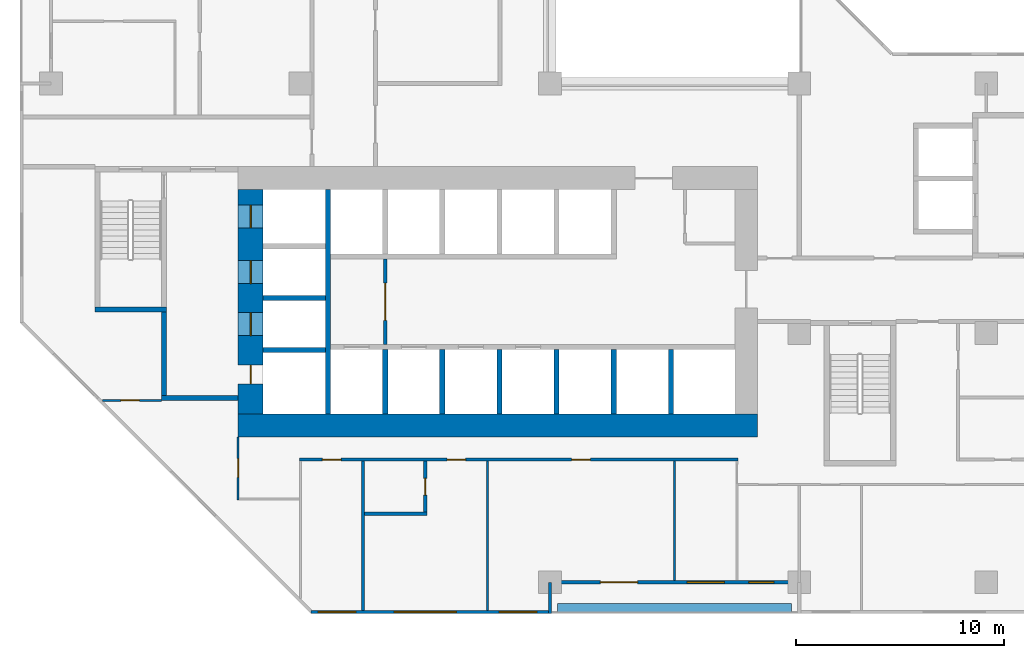
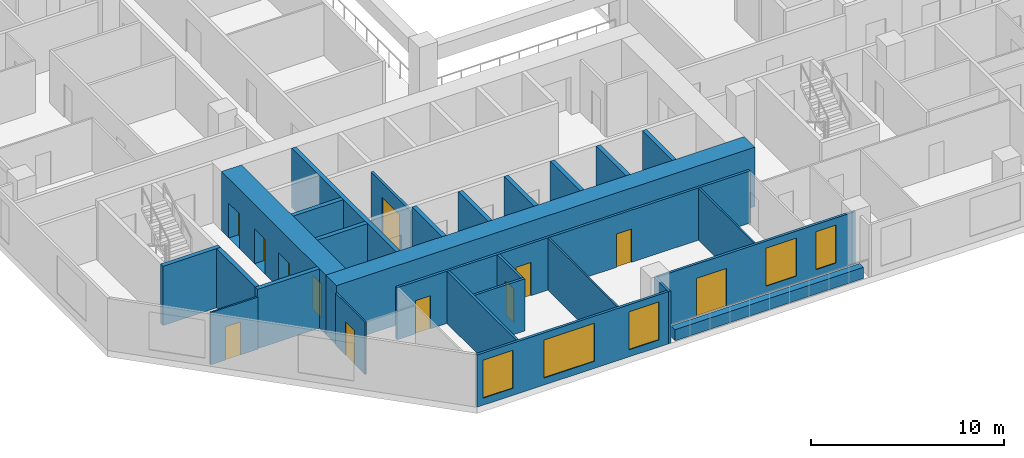
# One storey, part 4 of 16: 27 walls, 12 doors, 5 windows, 17 openings.
"""IFC4 building model written with IfcOpenShell, lengths in metres."""

import ifcopenshell
import ifcopenshell.guid

model = None  # the IFC model being written
_history = None  # IfcOwnerHistory: only IFC2X3 demands one
_inside = {}  # id of a spatial element -> (the spatial element, [elements in it])
_under = {}  # id of a project, library or spatial element -> (it, [spatial elements below it])
_declared = {}  # id of a project -> (the project, [libraries it declares])
_typed = {}  # id of a type object -> (the type object, [elements of that type])
_made_of = {}  # id of a material, layer set ... -> (it, [elements and type objects made of it])


def new_model(schema):
    """Start an empty IFC model of exactly this schema.

    Asked for "IFC4X3", IfcOpenShell would pick the latest addendum, in which some entities
    have other attributes; the version numbers below select the first issue.
    IFC2X3 requires an IfcOwnerHistory on every rooted entity: one is made here for all.
    """
    global model, _history
    if schema == "IFC4X3":
        model = ifcopenshell.file(schema_version=(4, 3, 0, 0))
    else:
        model = ifcopenshell.file(schema=schema)
    _inside.clear()
    _under.clear()
    _declared.clear()
    _typed.clear()
    _made_of.clear()
    _history = None
    if model.schema == "IFC2X3":
        org = make("IfcOrganization", Name="unknown")
        user = make(
            "IfcPersonAndOrganization",
            ThePerson=make("IfcPerson", FamilyName="unknown"),
            TheOrganization=org,
        )
        app = make(
            "IfcApplication",
            ApplicationDeveloper=org,
            Version="unknown",
            ApplicationFullName="unknown",
            ApplicationIdentifier="unknown",
        )
        _history = make(
            "IfcOwnerHistory",
            OwningUser=user,
            OwningApplication=app,
            ChangeAction="ADDED",
            CreationDate=0,
        )
    return model


def make(cls, **values):
    """One entity of the class cls with the attributes given. An attribute that is None is left unset."""
    return model.create_entity(
        cls, **{name: value for name, value in values.items() if value is not None}
    )


def rooted(cls, **values):
    """An entity with a GlobalId (a new one), such as an element, a storey or a relation."""
    return make(cls, GlobalId=ifcopenshell.guid.new(), OwnerHistory=_history, **values)


def si_unit(unit_type, name, prefix=None):
    """IfcSIUnit, for example si_unit("LENGTHUNIT", "METRE", prefix="MILLI")."""
    return make("IfcSIUnit", UnitType=unit_type, Prefix=prefix, Name=name)


def assignment(units):
    """IfcUnitAssignment: the units of a project."""
    return None if units is None else make("IfcUnitAssignment", Units=units)


def point(xyz):
    """IfcCartesianPoint."""
    return None if xyz is None else make("IfcCartesianPoint", Coordinates=xyz)


def direction(xyz):
    """IfcDirection."""
    return None if xyz is None else make("IfcDirection", DirectionRatios=xyz)


def frame(location, z_axis=None, x_axis=None):
    """IfcAxis2Placement3D, a coordinate frame: its origin and axes. An axis left out is left unset."""
    return make(
        "IfcAxis2Placement3D",
        Location=point(location),
        Axis=direction(z_axis),
        RefDirection=direction(x_axis),
    )


def frame_2d(location, x_axis=None):
    """IfcAxis2Placement2D, a coordinate frame in the plane: its origin and x axis."""
    return make(
        "IfcAxis2Placement2D", Location=point(location), RefDirection=direction(x_axis)
    )


def origin():
    """The frame at (0, 0, 0) with its axes left unset."""
    return frame((0.0, 0.0, 0.0))


def place(relative_to, where):
    """IfcLocalPlacement: puts the frame where relative to a parent placement (None: the world)."""
    return make(
        "IfcLocalPlacement", PlacementRelTo=relative_to, RelativePlacement=where
    )


def context(
    kind, dimensions, precision=None, world=None, true_north=None, identifier=None
):
    """IfcGeometricRepresentationContext, for example the 3D "Model" context."""
    return make(
        "IfcGeometricRepresentationContext",
        ContextIdentifier=identifier,
        ContextType=kind,
        CoordinateSpaceDimension=dimensions,
        Precision=precision,
        WorldCoordinateSystem=world,
        TrueNorth=true_north,
    )


def subcontext(parent, identifier, kind, view, scale=None):
    """IfcGeometricRepresentationSubContext, for example "Body" below "Model"."""
    return make(
        "IfcGeometricRepresentationSubContext",
        ContextIdentifier=identifier,
        ContextType=kind,
        ParentContext=parent,
        TargetScale=scale,
        TargetView=view,
    )


def project(units=None, contexts=None):
    """IfcProject with its units and contexts."""
    return rooted(
        "IfcProject",
        Name="project",
        RepresentationContexts=contexts,
        UnitsInContext=assignment(units),
    )


def spatial(cls, under=None, at=None, **own):
    """A site, building, storey or space (cls), placed at a placement, below another one or the project."""
    s = rooted(cls, ObjectPlacement=at, **own)
    if under is not None:
        _under.setdefault(under.id(), (under, []))[1].append(s)
    return s


def profile(cls, at=None, kind="AREA", **sizes):
    """A parametric profile (cls). Its sizes go by their IFC names, for example OverallWidth=200.0."""
    return make(cls, ProfileType=kind, Position=at, **sizes)


def rectangle(**sizes):
    """IfcRectangleProfileDef."""
    return profile("IfcRectangleProfileDef", **sizes)


def extrude(swept, where, along, depth):
    """IfcExtrudedAreaSolid: the profile swept, set in the frame where, extruded along a direction by depth."""
    return make(
        "IfcExtrudedAreaSolid",
        SweptArea=swept,
        Position=where,
        ExtrudedDirection=direction(along),
        Depth=depth,
    )


def shape(context_of_items, identifier, shape_type, items):
    """IfcShapeRepresentation: the items that make up one representation, for example the "Body"."""
    return make(
        "IfcShapeRepresentation",
        ContextOfItems=context_of_items,
        RepresentationIdentifier=identifier,
        RepresentationType=shape_type,
        Items=items,
    )


def material(Name=None, Category=None):
    """IfcMaterial."""
    return make("IfcMaterial", Name=Name, Category=Category)


def layer(
    of_material, thickness, ventilated=None, Name=None, Category=None, Priority=None
):
    """IfcMaterialLayer: one layer of a wall or slab, of a material (None: an air gap)."""
    return make(
        "IfcMaterialLayer",
        Material=of_material,
        LayerThickness=thickness,
        IsVentilated=ventilated,
        Name=Name,
        Category=Category,
        Priority=Priority,
    )


def layer_set(layers, Name=None):
    """IfcMaterialLayerSet."""
    return make("IfcMaterialLayerSet", MaterialLayers=layers, LayerSetName=Name)


def made_of(thing, what):
    """Note that an element or type object is made of a material, layer set ...; save() writes the relation."""
    if what is not None:
        _made_of.setdefault(what.id(), (what, []))[1].append(thing)
    return thing


def type_object(cls, material=None, **own):
    """A type object (cls), such as IfcWallType, which elements share."""
    return made_of(rooted(cls, **own), material)


def element(
    cls,
    number,
    at=None,
    inside=None,
    cuts=None,
    type_object=None,
    material=None,
    context=None,
    identifier="Body",
    shape_type=None,
    held_by="IfcProductDefinitionShape",
    body=None,
    shapes=None,
    **own,
):
    """One element of the class cls, such as IfcWall. Its Tag is "e" and its number.

    at: its placement. inside: the storey or other place that contains it. cuts: it is an
    opening in that element (IfcRelVoidsElement). A single representation is given by context,
    identifier, shape_type and body (its items); several are given by shapes. held_by: the class
    of the entity that holds the representations. save() writes the other relations.
    """
    e = rooted(cls, Tag="e%d" % number, ObjectPlacement=at, **own)
    if body is not None:
        shapes = [shape(context, identifier, shape_type, body)]
    if shapes is not None:
        e.Representation = make(held_by, Representations=shapes)
    if inside is not None:
        _inside.setdefault(inside.id(), (inside, []))[1].append(e)
    if cuts is not None:
        rooted(
            "IfcRelVoidsElement", RelatingBuildingElement=cuts, RelatedOpeningElement=e
        )
    if type_object is not None:
        _typed.setdefault(type_object.id(), (type_object, []))[1].append(e)
    return made_of(e, material)


def fill(opening, filler):
    """IfcRelFillsElement: the door or window that sits in an opening."""
    return rooted(
        "IfcRelFillsElement",
        RelatingOpeningElement=opening,
        RelatedBuildingElement=filler,
    )


def aggregate(whole, parts):
    """IfcRelAggregates: a whole, such as a stair, and the parts it consists of."""
    return rooted("IfcRelAggregates", RelatingObject=whole, RelatedObjects=parts)


def save(model, path):
    """Write the relations noted so far, then the file.

    IfcRelAggregates (storeys below a building ...), IfcRelContainedInSpatialStructure (elements
    in a storey), IfcRelDefinesByType, IfcRelAssociatesMaterial and IfcRelDeclares: one each for
    every whole, place, type object, material and project.
    """
    for whole, parts in _under.values():
        aggregate(whole, parts)
    for where, things in _inside.values():
        rooted(
            "IfcRelContainedInSpatialStructure",
            RelatedElements=things,
            RelatingStructure=where,
        )
    for kind, things in _typed.values():
        rooted("IfcRelDefinesByType", RelatedObjects=things, RelatingType=kind)
    for what, things in _made_of.values():
        rooted("IfcRelAssociatesMaterial", RelatedObjects=things, RelatingMaterial=what)
    for by, libraries in _declared.values():
        rooted("IfcRelDeclares", RelatingContext=by, RelatedDefinitions=libraries)
    model.write(path)


model = new_model("IFC4")

# Units and contexts
model_context = context("Model", 3, precision=1e-05, world=origin(), true_north=direction((0.0, 1.0)))
body_context = subcontext(model_context, "Body", "Model", "MODEL_VIEW")
ifc_project = project(units=[si_unit("LENGTHUNIT", "METRE"), si_unit("AREAUNIT", "SQUARE_METRE"), si_unit("VOLUMEUNIT", "CUBIC_METRE"), si_unit("PLANEANGLEUNIT", "RADIAN"), si_unit("MASSUNIT", "GRAM", prefix="KILO")], contexts=[model_context])

# Site, building, storey
site_placement = place(None, origin())
site = spatial("IfcSite", under=ifc_project, at=site_placement, CompositionType="ELEMENT")
building_placement = place(site_placement, origin())
building = spatial("IfcBuilding", under=site, at=building_placement, Name="Chenar Terraces", CompositionType="ELEMENT")
storey_placement = place(building_placement, frame((0.0, 0.0, 82.64990234375)))
storey = spatial("IfcBuildingStorey", under=building, at=storey_placement, Name="L18", CompositionType="ELEMENT", Elevation=82.64990234375)

# Wall, opening, door
ifc_material_1 = material(Name="Gypsum board on steel studs", Category="steel")
ifc_layer_1 = layer(ifc_material_1, 0.14990234375)
ifc_layer_set_1 = layer_set([ifc_layer_1], Name="Gypsum board on steel studs")
wall_type_1 = type_object("IfcWallType", Name="Core partition 150 gypsum board", PredefinedType="PARTITIONING", material=ifc_layer_set_1)
wall_1_placement = place(storey_placement, frame((16.074951171875, 11.449951171875, 0.0), z_axis=(0.0, 0.0, 1.0), x_axis=(0.0, 1.0, 0.0)))
wall_1 = element("IfcWall", 1, at=wall_1_placement, inside=storey, type_object=wall_type_1, Name="Core partition CP1 lift lobby smoke stop", PredefinedType="PARTITIONING", context=body_context, shape_type="SweptSolid", body=[
    extrude(rectangle(XDim=4.10009765625, YDim=0.14990234375, at=frame_2d((2.050048828125, 0.0))), origin(), (0.0, 0.0, 1.0), 3.300048828125),
])
opening_1_placement = place(wall_1_placement, frame((1.14990234375, 0.0, 0.0)))
opening_1 = element("IfcOpeningElement", 2, at=opening_1_placement, cuts=wall_1, Name="Opening DL18-C12", PredefinedType="OPENING", context=body_context, shape_type="SweptSolid", body=[
    extrude(rectangle(XDim=1.800048828125, YDim=2.39990234375, at=frame_2d((0.89990234375, 1.199951171875))), frame((0.0, 0.0849609375, 0.0), z_axis=(0.0, -1.0, 0.0), x_axis=(1.0, 0.0, 0.0)), (0.0, 0.0, 1.0), 0.169921875),
])
ifc_material_2 = material(Name="Steel-framed fire-resisting door leaf", Category="steel")
door_type_1 = type_object("IfcDoorType", Name="Core entrance double fire door FD60 1800 x 2400", OperationType="DOUBLE_DOOR_SINGLE_SWING", PredefinedType="DOOR", material=ifc_material_2)
door_1_placement = place(opening_1_placement, origin())
door_1 = element("IfcDoor", 3, at=door_1_placement, inside=storey, type_object=door_type_1, Name="Core door DL18-C12", OperationType="DOUBLE_DOOR_SINGLE_SWING", OverallHeight=2.39990234375, OverallWidth=1.800048828125, PredefinedType="DOOR", context=body_context, shape_type="SweptSolid", body=[
    extrude(rectangle(XDim=1.800048828125, YDim=2.39990234375, at=frame_2d((0.89990234375, 1.199951171875))), frame((0.0, 0.02490234375, 0.0), z_axis=(0.0, -1.0, 0.0), x_axis=(1.0, 0.0, 0.0)), (0.0, 0.0, 1.0), 0.050048828125),
])
fill(opening_1, door_1)

# Wall
ifc_material_3 = material(Name="Concrete C70/85", Category="concrete")
ifc_layer_2 = layer(ifc_material_3, 1.10009765625)
ifc_layer_set_2 = layer_set([ifc_layer_2], Name="Concrete C70/85")
wall_type_2 = type_object("IfcWallType", Name="Core wall 1100 Concrete C70/85", PredefinedType="SHEAR", material=ifc_layer_set_2)
wall_2_placement = place(storey_placement, frame((9.0, 7.550048828125, 0.0), z_axis=(0.0, 0.0, 1.0), x_axis=(1.0, 0.0, 0.0)))
element("IfcWall", 4, at=wall_2_placement, inside=storey, type_object=wall_type_2, Name="Core wall S L18", PredefinedType="SHEAR", context=body_context, shape_type="SweptSolid", body=[
    extrude(rectangle(XDim=25.0, YDim=1.10009765625, at=frame_2d((12.5, 0.0))), origin(), (0.0, 0.0, 1.0), 3.75),
])

# Wall, openings, doors
ifc_material_4 = material(Name="Concrete C70/85", Category="concrete")
ifc_layer_3 = layer(ifc_material_4, 1.199951171875)
ifc_layer_set_3 = layer_set([ifc_layer_3], Name="Concrete C70/85")
wall_type_3 = type_object("IfcWallType", Name="Core wall 1200 Concrete C70/85", PredefinedType="SHEAR", material=ifc_layer_set_3)
wall_3_placement = place(storey_placement, frame((9.60009765625, 8.10009765625, 0.0), z_axis=(0.0, 0.0, 1.0), x_axis=(0.0, 1.0, 0.0)))
wall_3 = element("IfcWall", 5, at=wall_3_placement, inside=storey, type_object=wall_type_3, Name="Core wall W L18", PredefinedType="SHEAR", context=body_context, shape_type="SweptSolid", body=[
    extrude(rectangle(XDim=10.7998046875, YDim=1.199951171875, at=frame_2d((5.39990234375, 0.0))), origin(), (0.0, 0.0, 1.0), 3.75),
])
opening_2_placement = place(wall_3_placement, frame((3.77490234375, 0.0, 0.0)))
opening_2 = element("IfcOpeningElement", 6, at=opening_2_placement, cuts=wall_3, Name="Opening DL18-LD5", PredefinedType="OPENING", context=body_context, shape_type="SweptSolid", body=[
    extrude(rectangle(XDim=1.10009765625, YDim=2.199951171875, at=frame_2d((0.550048828125, 1.10009765625))), frame((0.0, 0.60986328125, 0.0), z_axis=(0.0, -1.0, 0.0), x_axis=(1.0, 0.0, 0.0)), (0.0, 0.0, 1.0), 1.219970703125),
])
opening_3_placement = place(wall_3_placement, frame((6.27490234375, 0.0, 0.0)))
opening_3 = element("IfcOpeningElement", 7, at=opening_3_placement, cuts=wall_3, Name="Opening DL18-LD6", PredefinedType="OPENING", context=body_context, shape_type="SweptSolid", body=[
    extrude(rectangle(XDim=1.10009765625, YDim=2.199951171875, at=frame_2d((0.550048828125, 1.10009765625))), frame((0.0, 0.60986328125, 0.0), z_axis=(0.0, -1.0, 0.0), x_axis=(1.0, 0.0, 0.0)), (0.0, 0.0, 1.0), 1.219970703125),
])
opening_4_placement = place(wall_3_placement, frame((8.949951171875, 0.0, 0.0)))
opening_4 = element("IfcOpeningElement", 8, at=opening_4_placement, cuts=wall_3, Name="Opening DL18-LD7", PredefinedType="OPENING", context=body_context, shape_type="SweptSolid", body=[
    extrude(rectangle(XDim=1.10009765625, YDim=2.199951171875, at=frame_2d((0.550048828125, 1.10009765625))), frame((0.0, 0.60986328125, 0.0), z_axis=(0.0, -1.0, 0.0), x_axis=(1.0, 0.0, 0.0)), (0.0, 0.0, 1.0), 1.219970703125),
])
opening_5_placement = place(wall_3_placement, frame((1.449951171875, 0.0, 0.0)))
opening_5 = element("IfcOpeningElement", 9, at=opening_5_placement, cuts=wall_3, Name="Opening DL18-C4", PredefinedType="OPENING", context=body_context, shape_type="SweptSolid", body=[
    extrude(rectangle(XDim=0.89990234375, YDim=2.10009765625, at=frame_2d((0.449951171875, 1.050048828125))), frame((0.0, 0.60986328125, 0.0), z_axis=(0.0, -1.0, 0.0), x_axis=(1.0, 0.0, 0.0)), (0.0, 0.0, 1.0), 1.219970703125),
])
ifc_material_5 = material(Name="Stainless steel", Category="steel")
door_type_2 = type_object("IfcDoorType", Name="Lift landing door 1100 x 2200 sliding", OperationType="DOUBLE_DOOR_SLIDING", PredefinedType="DOOR", material=ifc_material_5)
door_2_placement = place(opening_2_placement, origin())
door_2 = element("IfcDoor", 10, at=door_2_placement, inside=storey, type_object=door_type_2, Name="Landing door S1", OperationType="DOUBLE_DOOR_SLIDING", OverallHeight=2.199951171875, OverallWidth=1.10009765625, PredefinedType="DOOR", context=body_context, shape_type="SweptSolid", body=[
    extrude(rectangle(XDim=1.10009765625, YDim=2.199951171875, at=frame_2d((0.550048828125, 1.10009765625))), frame((0.0, 0.02490234375, 0.0), z_axis=(0.0, -1.0, 0.0), x_axis=(1.0, 0.0, 0.0)), (0.0, 0.0, 1.0), 0.050048828125),
])
fill(opening_2, door_2)
door_3_placement = place(opening_3_placement, origin())
door_3 = element("IfcDoor", 11, at=door_3_placement, inside=storey, type_object=door_type_2, Name="Landing door F1", OperationType="DOUBLE_DOOR_SLIDING", OverallHeight=2.199951171875, OverallWidth=1.10009765625, PredefinedType="DOOR", context=body_context, shape_type="SweptSolid", body=[
    extrude(rectangle(XDim=1.10009765625, YDim=2.199951171875, at=frame_2d((0.550048828125, 1.10009765625))), frame((0.0, 0.02490234375, 0.0), z_axis=(0.0, -1.0, 0.0), x_axis=(1.0, 0.0, 0.0)), (0.0, 0.0, 1.0), 0.050048828125),
])
fill(opening_3, door_3)
door_4_placement = place(opening_4_placement, origin())
door_4 = element("IfcDoor", 12, at=door_4_placement, inside=storey, type_object=door_type_2, Name="Landing door F2", OperationType="DOUBLE_DOOR_SLIDING", OverallHeight=2.199951171875, OverallWidth=1.10009765625, PredefinedType="DOOR", context=body_context, shape_type="SweptSolid", body=[
    extrude(rectangle(XDim=1.10009765625, YDim=2.199951171875, at=frame_2d((0.550048828125, 1.10009765625))), frame((0.0, 0.02490234375, 0.0), z_axis=(0.0, -1.0, 0.0), x_axis=(1.0, 0.0, 0.0)), (0.0, 0.0, 1.0), 0.050048828125),
])
fill(opening_4, door_4)
ifc_material_6 = material(Name="Steel-framed fire-resisting door leaf", Category="steel")
door_type_3 = type_object("IfcDoorType", Name="Riser fire door FD60 900 x 2100", OperationType="SINGLE_SWING_LEFT", PredefinedType="DOOR", material=ifc_material_6)
door_5_placement = place(opening_5_placement, frame((0.89990234375, 0.0, 0.0), z_axis=(0.0, 0.0, 1.0), x_axis=(-1.0, 0.0, 0.0)))
door_5 = element("IfcDoor", 13, at=door_5_placement, inside=storey, type_object=door_type_3, Name="Riser door DL18-C4", OperationType="SINGLE_SWING_RIGHT", OverallHeight=2.10009765625, OverallWidth=0.89990234375, PredefinedType="DOOR", context=body_context, shape_type="SweptSolid", body=[
    extrude(rectangle(XDim=0.89990234375, YDim=2.10009765625, at=frame_2d((0.449951171875, 1.050048828125))), frame((0.0, 0.02490234375, 0.0), z_axis=(0.0, -1.0, 0.0), x_axis=(1.0, 0.0, 0.0)), (0.0, 0.0, 1.0), 0.050048828125),
])
fill(opening_5, door_5)

# Walls
ifc_material_7 = material(Name="Concrete C70/85", Category="concrete")
ifc_layer_4 = layer(ifc_material_7, 0.25)
ifc_layer_set_4 = layer_set([ifc_layer_4], Name="Concrete C70/85")
wall_type_4 = type_object("IfcWallType", Name="Core wall 250 Concrete C70/85", PredefinedType="SHEAR", material=ifc_layer_set_4)
wall_4_placement = place(storey_placement, frame((13.324951171875, 8.10009765625, 0.0), z_axis=(0.0, 0.0, 1.0), x_axis=(0.0, 1.0, 0.0)))
element("IfcWall", 14, at=wall_4_placement, inside=storey, type_object=wall_type_4, Name="Core wall WI L18", PredefinedType="SHEAR", context=body_context, shape_type="SweptSolid", body=[
    extrude(rectangle(XDim=10.7998046875, YDim=0.25, at=frame_2d((5.39990234375, 0.0))), origin(), (0.0, 0.0, 1.0), 3.75),
])
for number, where, z_axis, x_axis, name in (
    (15, (10.199951171875, 11.175048828125, 0.0), (0.0, 0.0, 1.0), (1.0, 0.0, 0.0), "Core wall HW0 L18"),
    (16, (10.199951171875, 13.675048828125, 0.0), (0.0, 0.0, 1.0), (1.0, 0.0, 0.0), "Core wall HW1 L18"),
):
    element("IfcWall", number, at=place(storey_placement, frame(where, z_axis=z_axis, x_axis=x_axis)), inside=storey, type_object=wall_type_4, Name=name, PredefinedType="SHEAR", context=body_context, shape_type="SweptSolid", body=[
        extrude(rectangle(XDim=3.0, YDim=0.25, at=frame_2d((1.5, 0.0))), origin(), (0.0, 0.0, 1.0), 3.75),
    ])
for number, where, z_axis, x_axis, name in (
    (17, (16.074951171875, 8.10009765625, 0.0), (0.0, 0.0, 1.0), (0.0, 1.0, 0.0), "Core wall SS0 L18"),
    (18, (18.824951171875, 8.10009765625, 0.0), (0.0, 0.0, 1.0), (0.0, 1.0, 0.0), "Core wall SS1 L18"),
    (19, (21.574951171875, 8.10009765625, 0.0), (0.0, 0.0, 1.0), (0.0, 1.0, 0.0), "Core wall SS2 L18"),
    (20, (24.324951171875, 8.10009765625, 0.0), (0.0, 0.0, 1.0), (0.0, 1.0, 0.0), "Core wall SS3 L18"),
    (21, (27.074951171875, 8.10009765625, 0.0), (0.0, 0.0, 1.0), (0.0, 1.0, 0.0), "Core wall SS4 L18"),
    (22, (29.824951171875, 8.10009765625, 0.0), (0.0, 0.0, 1.0), (0.0, 1.0, 0.0), "Core wall SS5 L18"),
):
    element("IfcWall", number, at=place(storey_placement, frame(where, z_axis=z_axis, x_axis=x_axis)), inside=storey, type_object=wall_type_4, Name=name, PredefinedType="SHEAR", context=body_context, shape_type="SweptSolid", body=[
        extrude(rectangle(XDim=3.099853515625, YDim=0.25, at=frame_2d((1.5498046875, 0.0))), origin(), (0.0, 0.0, 1.0), 3.75),
    ])
wall_5_placement = place(storey_placement, frame((2.10009765625, 13.125, 0.0), z_axis=(0.0, 0.0, 1.0), x_axis=(1.0, 0.0, 0.0)))
element("IfcWall", 23, at=wall_5_placement, inside=storey, type_object=wall_type_4, Name="Core wall ST1_S L18", PredefinedType="SHEAR", context=body_context, shape_type="SweptSolid", body=[
    extrude(rectangle(XDim=3.449951171875, YDim=0.25, at=frame_2d((1.72509765625, 0.0))), origin(), (0.0, 0.0, 1.0), 3.75),
])
wall_6_placement = place(storey_placement, frame((5.300048828125, 8.875, 0.0), z_axis=(0.0, 0.0, 1.0), x_axis=(1.0, 0.0, 0.0)))
element("IfcWall", 24, at=wall_6_placement, inside=storey, type_object=wall_type_4, Name="Core wall FFL_S L18", PredefinedType="SHEAR", context=body_context, shape_type="SweptSolid", body=[
    extrude(rectangle(XDim=3.699951171875, YDim=0.25, at=frame_2d((1.85009765625, 0.0))), origin(), (0.0, 0.0, 1.0), 3.75),
])
wall_7_placement = place(storey_placement, frame((5.425048828125, 9.0, 0.0), z_axis=(0.0, 0.0, 1.0), x_axis=(0.0, 1.0, 0.0)))
element("IfcWall", 25, at=wall_7_placement, inside=storey, type_object=wall_type_4, Name="Core wall FFL_W L18", PredefinedType="SHEAR", context=body_context, shape_type="SweptSolid", body=[
    extrude(rectangle(XDim=4.0, YDim=0.25, at=frame_2d((2.0, 0.0))), origin(), (0.0, 0.0, 1.0), 3.75),
])

# Wall, openings, windows
ifc_material_8 = material(Name="Aluminium framed glazing", Category="aluminium")
ifc_layer_5 = layer(ifc_material_8, 0.14990234375)
ifc_layer_set_5 = layer_set([ifc_layer_5], Name="Aluminium framed glazing")
wall_type_5 = type_object("IfcWallType", Name="Glazed flush facade wall 150", PredefinedType="SOLIDWALL", material=ifc_layer_set_5)
wall_8_placement = place(storey_placement, frame((12.5, -1.425048828125, 0.0), z_axis=(0.0, 0.0, 1.0), x_axis=(1.0, 0.0, 0.0)))
wall_8 = element("IfcWall", 26, at=wall_8_placement, inside=storey, type_object=wall_type_5, Name="Glazed flush facade wall", PredefinedType="SOLIDWALL", context=body_context, shape_type="SweptSolid", body=[
    extrude(rectangle(XDim=11.425048828125, YDim=0.14990234375, at=frame_2d((5.71240234375, 0.0))), origin(), (0.0, 0.0, 1.0), 3.300048828125),
])
opening_6_placement = place(wall_8_placement, frame((0.35009765625, 0.0, 0.449951171875)))
opening_6 = element("IfcOpeningElement", 27, at=opening_6_placement, cuts=wall_8, Name="Opening W180x240", PredefinedType="OPENING", context=body_context, shape_type="SweptSolid", body=[
    extrude(rectangle(XDim=1.800048828125, YDim=2.39990234375, at=frame_2d((0.89990234375, 1.199951171875))), frame((0.0, 0.0849609375, 0.0), z_axis=(0.0, -1.0, 0.0), x_axis=(1.0, 0.0, 0.0)), (0.0, 0.0, 1.0), 0.169921875),
])
opening_7_placement = place(wall_8_placement, frame((4.0, 0.0, 0.449951171875)))
opening_7 = element("IfcOpeningElement", 28, at=opening_7_placement, cuts=wall_8, Name="Opening W300x240", PredefinedType="OPENING", context=body_context, shape_type="SweptSolid", body=[
    extrude(rectangle(XDim=3.0, YDim=2.39990234375, at=frame_2d((1.5, 1.199951171875))), frame((0.0, 0.0849609375, 0.0), z_axis=(0.0, -1.0, 0.0), x_axis=(1.0, 0.0, 0.0)), (0.0, 0.0, 1.0), 0.169921875),
])
opening_8_placement = place(wall_8_placement, frame((9.0625, 0.0, 0.449951171875)))
opening_8 = element("IfcOpeningElement", 29, at=opening_8_placement, cuts=wall_8, Name="Opening W180x240", PredefinedType="OPENING", context=body_context, shape_type="SweptSolid", body=[
    extrude(rectangle(XDim=1.800048828125, YDim=2.39990234375, at=frame_2d((0.89990234375, 1.199951171875))), frame((0.0, 0.0849609375, 0.0), z_axis=(0.0, -1.0, 0.0), x_axis=(1.0, 0.0, 0.0)), (0.0, 0.0, 1.0), 0.169921875),
])
ifc_material_9 = material(Name="Low emissivity double glazing, aluminium frame", Category="aluminium")
window_type_1 = type_object("IfcWindowType", Name="Fixed light 1800 x 2400", PartitioningType="SINGLE_PANEL", PredefinedType="WINDOW", material=ifc_material_9)
window_1_placement = place(opening_6_placement, origin())
window_1 = element("IfcWindow", 30, at=window_1_placement, inside=storey, type_object=window_type_1, Name="Window", OverallHeight=2.39990234375, OverallWidth=1.800048828125, PartitioningType="SINGLE_PANEL", PredefinedType="WINDOW", context=body_context, shape_type="SweptSolid", body=[
    extrude(rectangle(XDim=1.800048828125, YDim=2.39990234375, at=frame_2d((0.89990234375, 1.199951171875))), frame((0.0, 0.030029296875, 0.0), z_axis=(0.0, -1.0, 0.0), x_axis=(1.0, 0.0, 0.0)), (0.0, 0.0, 1.0), 0.06005859375),
])
fill(opening_6, window_1)
window_2_placement = place(opening_8_placement, origin())
window_2 = element("IfcWindow", 31, at=window_2_placement, inside=storey, type_object=window_type_1, Name="Window", OverallHeight=2.39990234375, OverallWidth=1.800048828125, PartitioningType="SINGLE_PANEL", PredefinedType="WINDOW", context=body_context, shape_type="SweptSolid", body=[
    extrude(rectangle(XDim=1.800048828125, YDim=2.39990234375, at=frame_2d((0.89990234375, 1.199951171875))), frame((0.0, 0.030029296875, 0.0), z_axis=(0.0, -1.0, 0.0), x_axis=(1.0, 0.0, 0.0)), (0.0, 0.0, 1.0), 0.06005859375),
])
fill(opening_8, window_2)
ifc_material_10 = material(Name="Low emissivity double glazing, aluminium frame", Category="aluminium")
window_type_2 = type_object("IfcWindowType", Name="Fixed light 3000 x 2400", PartitioningType="SINGLE_PANEL", PredefinedType="WINDOW", material=ifc_material_10)
window_3_placement = place(opening_7_placement, origin())
window_3 = element("IfcWindow", 32, at=window_3_placement, inside=storey, type_object=window_type_2, Name="Window", OverallHeight=2.39990234375, OverallWidth=3.0, PartitioningType="SINGLE_PANEL", PredefinedType="WINDOW", context=body_context, shape_type="SweptSolid", body=[
    extrude(rectangle(XDim=3.0, YDim=2.39990234375, at=frame_2d((1.5, 1.199951171875))), frame((0.0, 0.030029296875, 0.0), z_axis=(0.0, -1.0, 0.0), x_axis=(1.0, 0.0, 0.0)), (0.0, 0.0, 1.0), 0.06005859375),
])
fill(opening_7, window_3)

# Wall, openings, windows, door
ifc_material_11 = material(Name="Aluminium framed glazing", Category="aluminium")
ifc_layer_6 = layer(ifc_material_11, 0.14990234375)
ifc_layer_set_6 = layer_set([ifc_layer_6], Name="Aluminium framed glazing")
wall_type_6 = type_object("IfcWallType", Name="Glazed loggia back wall 150", PredefinedType="SOLIDWALL", material=ifc_layer_set_6)
wall_9_placement = place(storey_placement, frame((24.074951171875, 0.0, 0.0), z_axis=(0.0, 0.0, 1.0), x_axis=(1.0, 0.0, 0.0)))
wall_9 = element("IfcWall", 33, at=wall_9_placement, inside=storey, type_object=wall_type_6, Name="Glazed loggia back wall", PredefinedType="SOLIDWALL", context=body_context, shape_type="SweptSolid", body=[
    extrude(rectangle(XDim=11.85009765625, YDim=0.14990234375, at=frame_2d((5.925048828125, 0.0))), origin(), (0.0, 0.0, 1.0), 3.300048828125),
])
opening_9_placement = place(wall_9_placement, frame((2.35009765625, 0.0, 0.0)))
opening_9 = element("IfcOpeningElement", 34, at=opening_9_placement, cuts=wall_9, Name="Opening DL18-G5", PredefinedType="OPENING", context=body_context, shape_type="SweptSolid", body=[
    extrude(rectangle(XDim=1.800048828125, YDim=2.39990234375, at=frame_2d((0.89990234375, 1.199951171875))), frame((0.0, 0.0849609375, 0.0), z_axis=(0.0, -1.0, 0.0), x_axis=(1.0, 0.0, 0.0)), (0.0, 0.0, 1.0), 0.169921875),
])
opening_10_placement = place(wall_9_placement, frame((6.52490234375, 0.0, 0.449951171875)))
opening_10 = element("IfcOpeningElement", 35, at=opening_10_placement, cuts=wall_9, Name="Opening W180x240", PredefinedType="OPENING", context=body_context, shape_type="SweptSolid", body=[
    extrude(rectangle(XDim=1.800048828125, YDim=2.39990234375, at=frame_2d((0.89990234375, 1.199951171875))), frame((0.0, 0.0849609375, 0.0), z_axis=(0.0, -1.0, 0.0), x_axis=(1.0, 0.0, 0.0)), (0.0, 0.0, 1.0), 0.169921875),
])
opening_11_placement = place(wall_9_placement, frame((9.5, 0.0, 0.449951171875)))
opening_11 = element("IfcOpeningElement", 36, at=opening_11_placement, cuts=wall_9, Name="Opening W120x240", PredefinedType="OPENING", context=body_context, shape_type="SweptSolid", body=[
    extrude(rectangle(XDim=1.199951171875, YDim=2.39990234375, at=frame_2d((0.60009765625, 1.199951171875))), frame((0.0, 0.0849609375, 0.0), z_axis=(0.0, -1.0, 0.0), x_axis=(1.0, 0.0, 0.0)), (0.0, 0.0, 1.0), 0.169921875),
])
ifc_material_12 = material(Name="Low emissivity double glazing, aluminium frame", Category="aluminium")
window_type_3 = type_object("IfcWindowType", Name="Fixed light 1200 x 2400", PartitioningType="SINGLE_PANEL", PredefinedType="WINDOW", material=ifc_material_12)
window_4_placement = place(opening_11_placement, origin())
window_4 = element("IfcWindow", 37, at=window_4_placement, inside=storey, type_object=window_type_3, Name="Window", OverallHeight=2.39990234375, OverallWidth=1.199951171875, PartitioningType="SINGLE_PANEL", PredefinedType="WINDOW", context=body_context, shape_type="SweptSolid", body=[
    extrude(rectangle(XDim=1.199951171875, YDim=2.39990234375, at=frame_2d((0.60009765625, 1.199951171875))), frame((0.0, 0.030029296875, 0.0), z_axis=(0.0, -1.0, 0.0), x_axis=(1.0, 0.0, 0.0)), (0.0, 0.0, 1.0), 0.06005859375),
])
fill(opening_11, window_4)
window_5_placement = place(opening_10_placement, origin())
window_5 = element("IfcWindow", 38, at=window_5_placement, inside=storey, type_object=window_type_1, Name="Window", OverallHeight=2.39990234375, OverallWidth=1.800048828125, PartitioningType="SINGLE_PANEL", PredefinedType="WINDOW", context=body_context, shape_type="SweptSolid", body=[
    extrude(rectangle(XDim=1.800048828125, YDim=2.39990234375, at=frame_2d((0.89990234375, 1.199951171875))), frame((0.0, 0.030029296875, 0.0), z_axis=(0.0, -1.0, 0.0), x_axis=(1.0, 0.0, 0.0)), (0.0, 0.0, 1.0), 0.06005859375),
])
fill(opening_10, window_5)
ifc_material_13 = material(Name="Low emissivity double glazing, aluminium frame", Category="aluminium")
door_type_4 = type_object("IfcDoorType", Name="Loggia glazed double door 1800 x 2400", OperationType="DOUBLE_DOOR_SINGLE_SWING", PredefinedType="DOOR", material=ifc_material_13)
door_6_placement = place(opening_9_placement, frame((1.800048828125, 0.0, 0.0), z_axis=(0.0, 0.0, 1.0), x_axis=(-1.0, 0.0, 0.0)))
door_6 = element("IfcDoor", 39, at=door_6_placement, inside=storey, type_object=door_type_4, Name="Loggia glazed door", OperationType="DOUBLE_DOOR_SINGLE_SWING", OverallHeight=2.39990234375, OverallWidth=1.800048828125, PredefinedType="DOOR", context=body_context, shape_type="SweptSolid", body=[
    extrude(rectangle(XDim=1.800048828125, YDim=2.39990234375, at=frame_2d((0.89990234375, 1.199951171875))), frame((0.0, 0.02490234375, 0.0), z_axis=(0.0, -1.0, 0.0), x_axis=(1.0, 0.0, 0.0)), (0.0, 0.0, 1.0), 0.050048828125),
])
fill(opening_9, door_6)

# Wall, opening, door
ifc_material_14 = material(Name="Gypsum board on steel studs", Category="steel")
ifc_layer_7 = layer(ifc_material_14, 0.10009765625)
ifc_layer_set_7 = layer_set([ifc_layer_7], Name="Gypsum board on steel studs")
wall_type_7 = type_object("IfcWallType", Name="Gypsum partition 100", PredefinedType="PARTITIONING", material=ifc_layer_set_7)
wall_10_placement = place(storey_placement, frame((2.4609375, 8.75, 0.0), z_axis=(0.0, 0.0, 1.0), x_axis=(1.0, 0.0, 0.0)))
wall_10 = element("IfcWall", 40, at=wall_10_placement, inside=storey, type_object=wall_type_7, Name="Partition L18-011", PredefinedType="PARTITIONING", context=body_context, shape_type="SweptSolid", body=[
    extrude(rectangle(XDim=2.839111328125, YDim=0.10009765625, at=frame_2d((1.41943359375, 0.0))), origin(), (0.0, 0.0, 1.0), 3.300048828125),
])
opening_12_placement = place(wall_10_placement, frame((0.888916015625, 0.0, 0.0)))
opening_12 = element("IfcOpeningElement", 41, at=opening_12_placement, cuts=wall_10, Name="Opening DL18-63", PredefinedType="OPENING", context=body_context, shape_type="SweptSolid", body=[
    extrude(rectangle(XDim=0.89990234375, YDim=2.10009765625, at=frame_2d((0.449951171875, 1.050048828125))), frame((0.0, 0.06005859375, 0.0), z_axis=(0.0, -1.0, 0.0), x_axis=(1.0, 0.0, 0.0)), (0.0, 0.0, 1.0), 0.1201171875),
])
ifc_material_15 = material(Name="Veneered timber door leaf", Category="wood")
door_type_5 = type_object("IfcDoorType", Name="Door 900 x 2100", OperationType="SINGLE_SWING_LEFT", PredefinedType="DOOR", material=ifc_material_15)
door_7_placement = place(opening_12_placement, frame((0.89990234375, 0.0, 0.0), z_axis=(0.0, 0.0, 1.0), x_axis=(-1.0, 0.0, 0.0)))
door_7 = element("IfcDoor", 42, at=door_7_placement, inside=storey, type_object=door_type_5, Name="Door DL18-63", OperationType="SINGLE_SWING_RIGHT", OverallHeight=2.10009765625, OverallWidth=0.89990234375, PredefinedType="DOOR", context=body_context, shape_type="SweptSolid", body=[
    extrude(rectangle(XDim=0.89990234375, YDim=2.10009765625, at=frame_2d((0.449951171875, 1.050048828125))), frame((0.0, 0.02490234375, 0.0), z_axis=(0.0, -1.0, 0.0), x_axis=(1.0, 0.0, 0.0)), (0.0, 0.0, 1.0), 0.050048828125),
])
fill(opening_12, door_7)

wall_11_placement = place(storey_placement, frame((9.0, 3.949951171875, 0.0), z_axis=(0.0, 0.0, 1.0), x_axis=(0.0, 1.0, 0.0)))
wall_11 = element("IfcWall", 43, at=wall_11_placement, inside=storey, type_object=wall_type_7, Name="Partition L18-030", PredefinedType="PARTITIONING", context=body_context, shape_type="SweptSolid", body=[
    extrude(rectangle(XDim=3.050048828125, YDim=0.10009765625, at=frame_2d((1.52490234375, 0.0))), origin(), (0.0, 0.0, 1.0), 3.300048828125),
])
opening_13_placement = place(wall_11_placement, frame((1.10009765625, 0.0, 0.0)))
opening_13 = element("IfcOpeningElement", 44, at=opening_13_placement, cuts=wall_11, Name="Opening DL18-62", PredefinedType="OPENING", context=body_context, shape_type="SweptSolid", body=[
    extrude(rectangle(XDim=0.89990234375, YDim=2.10009765625, at=frame_2d((0.449951171875, 1.050048828125))), frame((0.0, 0.06005859375, 0.0), z_axis=(0.0, -1.0, 0.0), x_axis=(1.0, 0.0, 0.0)), (0.0, 0.0, 1.0), 0.1201171875),
])
door_8_placement = place(opening_13_placement, origin())
door_8 = element("IfcDoor", 45, at=door_8_placement, inside=storey, type_object=door_type_5, Name="Door DL18-62", OperationType="SINGLE_SWING_LEFT", OverallHeight=2.10009765625, OverallWidth=0.89990234375, PredefinedType="DOOR", context=body_context, shape_type="SweptSolid", body=[
    extrude(rectangle(XDim=0.89990234375, YDim=2.10009765625, at=frame_2d((0.449951171875, 1.050048828125))), frame((0.0, 0.02490234375, 0.0), z_axis=(0.0, -1.0, 0.0), x_axis=(1.0, 0.0, 0.0)), (0.0, 0.0, 1.0), 0.050048828125),
])
fill(opening_13, door_8)

# Walls
wall_12_placement = place(storey_placement, frame((21.0, -1.35009765625, 0.0), z_axis=(0.0, 0.0, 1.0), x_axis=(0.0, 1.0, 0.0)))
element("IfcWall", 46, at=wall_12_placement, inside=storey, type_object=wall_type_7, Name="Partition L18-057", PredefinedType="PARTITIONING", context=body_context, shape_type="SweptSolid", body=[
    extrude(rectangle(XDim=7.175048828125, YDim=0.10009765625, at=frame_2d((3.58740234375, 0.0))), origin(), (0.0, 0.0, 1.0), 3.300048828125),
])
wall_13_placement = place(storey_placement, frame((30.0, 0.073974609375, 0.0), z_axis=(0.0, 0.0, 1.0), x_axis=(0.0, 1.0, 0.0)))
element("IfcWall", 47, at=wall_13_placement, inside=storey, type_object=wall_type_7, Name="Partition L18-059", PredefinedType="PARTITIONING", context=body_context, shape_type="SweptSolid", body=[
    extrude(rectangle(XDim=5.7509765625, YDim=0.10009765625, at=frame_2d((2.87548828125, 0.0))), origin(), (0.0, 0.0, 1.0), 3.300048828125),
])
ifc_material_16 = material(Name="Terracotta cladding on insulated backing", Category="masonry")
ifc_layer_8 = layer(ifc_material_16, 0.14990234375)
ifc_layer_set_8 = layer_set([ifc_layer_8], Name="Terracotta cladding on insulated backing")
wall_type_8 = type_object("IfcWallType", Name="Loggia return wall 150", PredefinedType="SOLIDWALL", material=ifc_layer_set_8)
wall_14_placement = place(storey_placement, frame((24.0, -1.5, 0.0), z_axis=(0.0, 0.0, 1.0), x_axis=(0.0, 1.0, 0.0)))
element("IfcWall", 48, at=wall_14_placement, inside=storey, type_object=wall_type_8, Name="Loggia return wall", PredefinedType="SOLIDWALL", context=body_context, shape_type="SweptSolid", body=[
    extrude(rectangle(XDim=1.5, YDim=0.14990234375, at=frame_2d((0.75, 0.0))), origin(), (0.0, 0.0, 1.0), 3.300048828125),
])
ifc_material_17 = material(Name="GRP planter trough")
ifc_layer_9 = layer(ifc_material_17, 0.39990234375)
ifc_layer_set_9 = layer_set([ifc_layer_9], Name="GRP planter trough")
wall_type_9 = type_object("IfcWallType", Name="Vertical greenery planter 400", PredefinedType="SOLIDWALL", material=ifc_layer_set_9)
wall_15_placement = place(storey_placement, frame((24.375, -1.22900390625, 0.0), z_axis=(0.0, 0.0, 1.0), x_axis=(1.0, 0.0, 0.0)))
element("IfcWall", 49, at=wall_15_placement, inside=storey, type_object=wall_type_9, Name="Vertical greenery planter", PredefinedType="SOLIDWALL", context=body_context, shape_type="SweptSolid", body=[
    extrude(rectangle(XDim=11.25, YDim=0.39990234375, at=frame_2d((5.625, 0.0))), origin(), (0.0, 0.0, 1.0), 0.7001953125),
])

# Wall, openings, doors
ifc_material_18 = material(Name="Moisture-resistant gypsum board on steel studs", Category="steel")
ifc_layer_10 = layer(ifc_material_18, 0.14990234375)
ifc_layer_set_10 = layer_set([ifc_layer_10], Name="Moisture-resistant gypsum board on steel studs")
wall_type_10 = type_object("IfcWallType", Name="Wet-room partition 150", PredefinedType="PARTITIONING", material=ifc_layer_set_10)
wall_16_placement = place(storey_placement, frame((11.949951171875, 5.89990234375, 0.0), z_axis=(0.0, 0.0, 1.0), x_axis=(1.0, 0.0, 0.0)))
wall_16 = element("IfcWall", 50, at=wall_16_placement, inside=storey, type_object=wall_type_10, Name="Partition L18-032", PredefinedType="PARTITIONING", context=body_context, shape_type="SweptSolid", body=[
    extrude(rectangle(XDim=21.10009765625, YDim=0.14990234375, at=frame_2d((10.550048828125, 0.0))), origin(), (0.0, 0.0, 1.0), 3.300048828125),
])
opening_14_placement = place(wall_16_placement, frame((1.10009765625, 0.0, 0.0)))
opening_14 = element("IfcOpeningElement", 51, at=opening_14_placement, cuts=wall_16, Name="Opening DL18-58", PredefinedType="OPENING", context=body_context, shape_type="SweptSolid", body=[
    extrude(rectangle(XDim=0.89990234375, YDim=2.10009765625, at=frame_2d((0.449951171875, 1.050048828125))), frame((0.0, 0.0849609375, 0.0), z_axis=(0.0, -1.0, 0.0), x_axis=(1.0, 0.0, 0.0)), (0.0, 0.0, 1.0), 0.169921875),
])
opening_15_placement = place(wall_16_placement, frame((7.10009765625, 0.0, 0.0)))
opening_15 = element("IfcOpeningElement", 52, at=opening_15_placement, cuts=wall_16, Name="Opening DL18-64", PredefinedType="OPENING", context=body_context, shape_type="SweptSolid", body=[
    extrude(rectangle(XDim=0.89990234375, YDim=2.10009765625, at=frame_2d((0.449951171875, 1.050048828125))), frame((0.0, 0.0849609375, 0.0), z_axis=(0.0, -1.0, 0.0), x_axis=(1.0, 0.0, 0.0)), (0.0, 0.0, 1.0), 0.169921875),
])
opening_16_placement = place(wall_16_placement, frame((13.10009765625, 0.0, 0.0)))
opening_16 = element("IfcOpeningElement", 53, at=opening_16_placement, cuts=wall_16, Name="Opening DL18-68", PredefinedType="OPENING", context=body_context, shape_type="SweptSolid", body=[
    extrude(rectangle(XDim=0.89990234375, YDim=2.10009765625, at=frame_2d((0.449951171875, 1.050048828125))), frame((0.0, 0.0849609375, 0.0), z_axis=(0.0, -1.0, 0.0), x_axis=(1.0, 0.0, 0.0)), (0.0, 0.0, 1.0), 0.169921875),
])
door_9_placement = place(opening_14_placement, frame((0.89990234375, 0.0, 0.0), z_axis=(0.0, 0.0, 1.0), x_axis=(-1.0, 0.0, 0.0)))
door_9 = element("IfcDoor", 54, at=door_9_placement, inside=storey, type_object=door_type_5, Name="Door DL18-58", OperationType="SINGLE_SWING_RIGHT", OverallHeight=2.10009765625, OverallWidth=0.89990234375, PredefinedType="DOOR", context=body_context, shape_type="SweptSolid", body=[
    extrude(rectangle(XDim=0.89990234375, YDim=2.10009765625, at=frame_2d((0.449951171875, 1.050048828125))), frame((0.0, 0.02490234375, 0.0), z_axis=(0.0, -1.0, 0.0), x_axis=(1.0, 0.0, 0.0)), (0.0, 0.0, 1.0), 0.050048828125),
])
fill(opening_14, door_9)
door_10_placement = place(opening_15_placement, frame((0.89990234375, 0.0, 0.0), z_axis=(0.0, 0.0, 1.0), x_axis=(-1.0, 0.0, 0.0)))
door_10 = element("IfcDoor", 55, at=door_10_placement, inside=storey, type_object=door_type_5, Name="Door DL18-64", OperationType="SINGLE_SWING_RIGHT", OverallHeight=2.10009765625, OverallWidth=0.89990234375, PredefinedType="DOOR", context=body_context, shape_type="SweptSolid", body=[
    extrude(rectangle(XDim=0.89990234375, YDim=2.10009765625, at=frame_2d((0.449951171875, 1.050048828125))), frame((0.0, 0.02490234375, 0.0), z_axis=(0.0, -1.0, 0.0), x_axis=(1.0, 0.0, 0.0)), (0.0, 0.0, 1.0), 0.050048828125),
])
fill(opening_15, door_10)
door_11_placement = place(opening_16_placement, frame((0.89990234375, 0.0, 0.0), z_axis=(0.0, 0.0, 1.0), x_axis=(-1.0, 0.0, 0.0)))
door_11 = element("IfcDoor", 56, at=door_11_placement, inside=storey, type_object=door_type_5, Name="Door DL18-68", OperationType="SINGLE_SWING_RIGHT", OverallHeight=2.10009765625, OverallWidth=0.89990234375, PredefinedType="DOOR", context=body_context, shape_type="SweptSolid", body=[
    extrude(rectangle(XDim=0.89990234375, YDim=2.10009765625, at=frame_2d((0.449951171875, 1.050048828125))), frame((0.0, 0.02490234375, 0.0), z_axis=(0.0, -1.0, 0.0), x_axis=(1.0, 0.0, 0.0)), (0.0, 0.0, 1.0), 0.050048828125),
])
fill(opening_16, door_11)

# Walls
wall_17_placement = place(storey_placement, frame((15.0, -1.35107421875, 0.0), z_axis=(0.0, 0.0, 1.0), x_axis=(0.0, 1.0, 0.0)))
element("IfcWall", 57, at=wall_17_placement, inside=storey, type_object=wall_type_10, Name="Partition L18-035", PredefinedType="PARTITIONING", context=body_context, shape_type="SweptSolid", body=[
    extrude(rectangle(XDim=7.176025390625, YDim=0.14990234375, at=frame_2d((3.587890625, 0.0))), origin(), (0.0, 0.0, 1.0), 3.300048828125),
])
wall_18_placement = place(storey_placement, frame((15.074951171875, 3.300048828125, 0.0), z_axis=(0.0, 0.0, 1.0), x_axis=(1.0, 0.0, 0.0)))
element("IfcWall", 58, at=wall_18_placement, inside=storey, type_object=wall_type_10, Name="Partition L18-036", PredefinedType="PARTITIONING", context=body_context, shape_type="SweptSolid", body=[
    extrude(rectangle(XDim=3.0, YDim=0.14990234375, at=frame_2d((1.5, 0.0))), origin(), (0.0, 0.0, 1.0), 3.300048828125),
])

# Wall, opening, door
wall_19_placement = place(storey_placement, frame((18.0, 3.375, 0.0), z_axis=(0.0, 0.0, 1.0), x_axis=(0.0, 1.0, 0.0)))
wall_19 = element("IfcWall", 59, at=wall_19_placement, inside=storey, type_object=wall_type_10, Name="Partition L18-048", PredefinedType="PARTITIONING", context=body_context, shape_type="SweptSolid", body=[
    extrude(rectangle(XDim=2.449951171875, YDim=0.14990234375, at=frame_2d((1.22509765625, 0.0))), origin(), (0.0, 0.0, 1.0), 3.300048828125),
])
opening_17_placement = place(wall_19_placement, frame((0.824951171875, 0.0, 0.0)))
opening_17 = element("IfcOpeningElement", 60, at=opening_17_placement, cuts=wall_19, Name="Opening DL18-65", PredefinedType="OPENING", context=body_context, shape_type="SweptSolid", body=[
    extrude(rectangle(XDim=0.800048828125, YDim=2.10009765625, at=frame_2d((0.39990234375, 1.050048828125))), frame((0.0, 0.0849609375, 0.0), z_axis=(0.0, -1.0, 0.0), x_axis=(1.0, 0.0, 0.0)), (0.0, 0.0, 1.0), 0.169921875),
])
ifc_material_19 = material(Name="Veneered timber door leaf", Category="wood")
door_type_6 = type_object("IfcDoorType", Name="Door 800 x 2100", OperationType="SINGLE_SWING_LEFT", PredefinedType="DOOR", material=ifc_material_19)
door_12_placement = place(opening_17_placement, origin())
door_12 = element("IfcDoor", 61, at=door_12_placement, inside=storey, type_object=door_type_6, Name="Door DL18-65", OperationType="SINGLE_SWING_RIGHT", OverallHeight=2.10009765625, OverallWidth=0.800048828125, PredefinedType="DOOR", context=body_context, shape_type="SweptSolid", body=[
    extrude(rectangle(XDim=0.800048828125, YDim=2.10009765625, at=frame_2d((0.39990234375, 1.050048828125))), frame((0.0, 0.02490234375, 0.0), z_axis=(0.0, -1.0, 0.0), x_axis=(1.0, 0.0, 0.0)), (0.0, 0.0, 1.0), 0.050048828125),
])
fill(opening_17, door_12)

save(model, "model.ifc")
